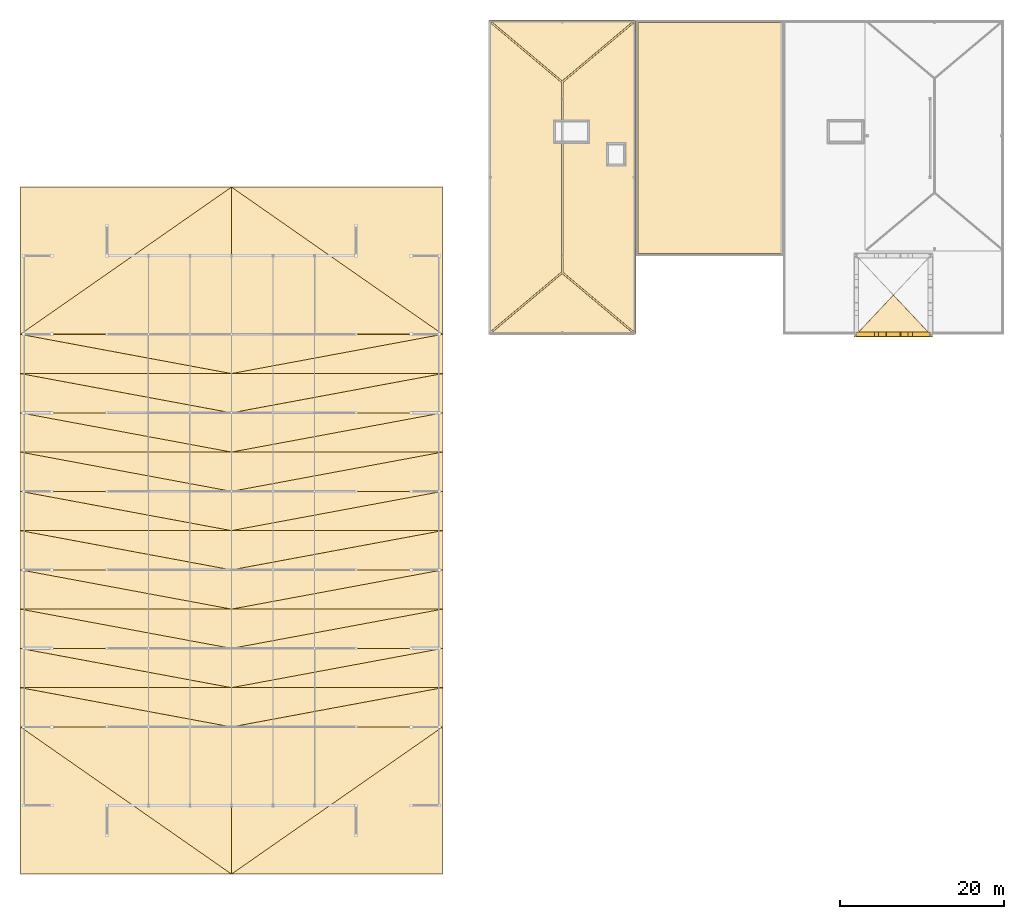
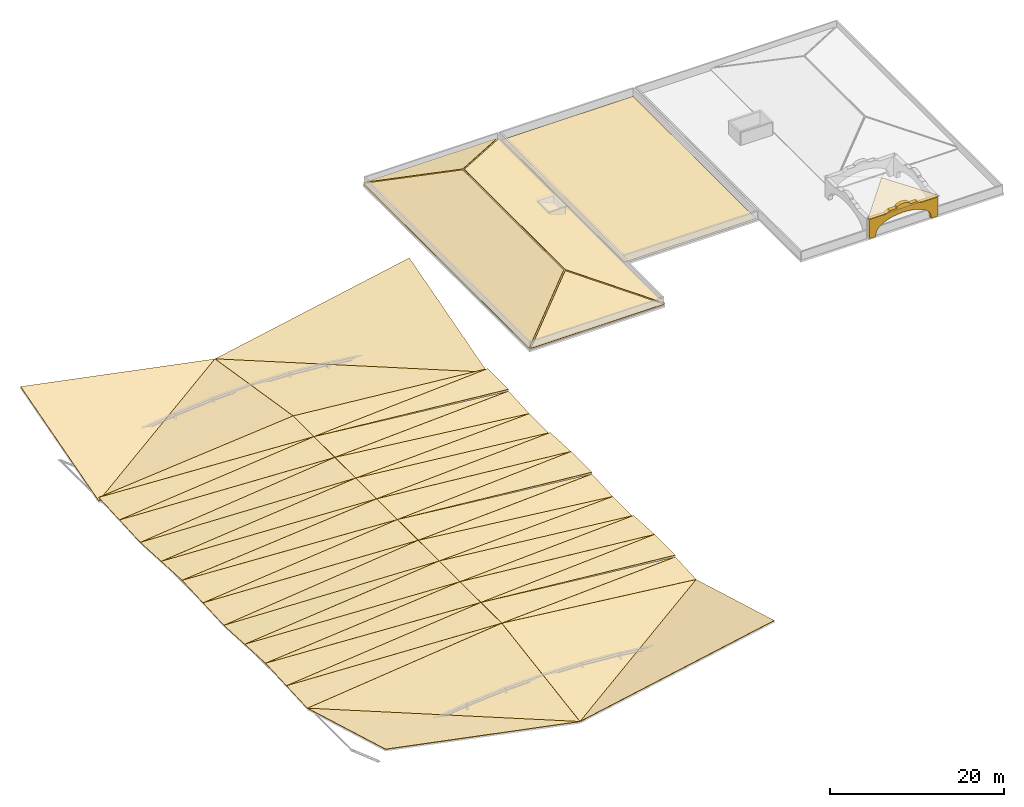
# One storey, part 15 of 16: 56 coverings.
"""IFC4 building model written with IfcOpenShell, lengths in metres."""

from ifc_helpers import new_model, si_unit, direction, frame, origin, place, context, subcontext, project, spatial, polyline, outline, extrude, material, layer, layer_set, type_object, element, save


model = new_model("IFC4")

# Units and contexts
model_context = context("Model", 3, precision=1e-05, world=origin(), true_north=direction((0.0, 1.0)))
body_context = subcontext(model_context, "Body", "Model", "MODEL_VIEW")
ifc_project = project(units=[si_unit("LENGTHUNIT", "METRE"), si_unit("AREAUNIT", "SQUARE_METRE"), si_unit("VOLUMEUNIT", "CUBIC_METRE"), si_unit("PLANEANGLEUNIT", "RADIAN"), si_unit("MASSUNIT", "GRAM", prefix="KILO")], contexts=[model_context])

# Site, building, storey
site_placement = place(None, origin())
site = spatial("IfcSite", under=ifc_project, at=site_placement, CompositionType="ELEMENT")
building_placement = place(site_placement, origin())
building = spatial("IfcBuilding", under=site, at=building_placement, Name="Myrtia Square Station", CompositionType="ELEMENT")
storey_placement = place(building_placement, frame((0.0, 0.0, 22.800048828125)))
storey = spatial("IfcBuildingStorey", under=building, at=storey_placement, Name="RF", CompositionType="ELEMENT", Elevation=22.800048828125)

# Coverings
ifc_material_1 = material(Name="Pentelic marble ashlar", Category="masonry")
ifc_layer_1 = layer(ifc_material_1, 0.4599609375, Name="Pentelic marble ashlar")
ifc_layer_set_1 = layer_set([ifc_layer_1], Name="Pentelic marble ashlar")
covering_type_1 = type_object("IfcCoveringType", Name="COV-ARCH-ASHLAR", PredefinedType="CLADDING", material=ifc_layer_set_1)
covering_1_placement = place(storey_placement, frame((171.0, 86.39990234375, 0.099853515625), z_axis=(0.0, 0.0, 1.0), x_axis=(1.0, 0.0, 0.0)))
element("IfcCovering", 1, at=covering_1_placement, inside=storey, type_object=covering_type_1, Name="Clock tower south belfry arch 048", PredefinedType="CLADDING", context=body_context, shape_type="SweptSolid", body=[
    extrude(outline(polyline([(0.0, 0.0), (0.85009765625, 0.0), (0.85009765625, 0.35009765625), (0.920166015625, 0.701171875), (1.1279296875, 1.038818359375), (1.465087890625, 1.35009765625), (1.9189453125, 1.622802734375), (2.47216796875, 1.8466796875), (3.103271484375, 2.01318359375), (3.787841796875, 2.115478515625), (4.5, 2.150146484375), (5.212158203125, 2.115478515625), (5.896728515625, 2.01318359375), (6.52783203125, 1.8466796875), (7.0810546875, 1.622802734375), (7.534912109375, 1.35009765625), (7.8720703125, 1.038818359375), (8.079833984375, 0.701171875), (8.14990234375, 0.35009765625), (8.14990234375, 0.0), (9.0, 0.0), (9.0, 2.68017578125), (6.840087890625, 2.68017578125), (6.300048828125, 2.9951171875), (5.39990234375, 2.9951171875), (5.33154296875, 3.16162109375), (5.136474609375, 3.302734375), (4.844482421875, 3.39697265625), (4.5, 3.43017578125), (4.155517578125, 3.39697265625), (3.863525390625, 3.302734375), (3.66845703125, 3.16162109375), (3.60009765625, 2.9951171875), (2.699951171875, 2.9951171875), (2.159912109375, 2.68017578125), (0.0, 2.68017578125), (0.0, 0.0)])), frame((0.0, 0.260009765625, 0.0), z_axis=(0.0, -1.0, 0.0), x_axis=(1.0, 0.0, 0.0)), (0.0, 0.0, 1.0), 0.52001953125),
])
ifc_material_2 = material(Name="Waterproof elastomeric membrane")
ifc_layer_2 = layer(ifc_material_2, 0.044921875, Name="Waterproof elastomeric membrane")
ifc_layer_set_2 = layer_set([ifc_layer_2], Name="Waterproof elastomeric membrane")
covering_type_2 = type_object("IfcCoveringType", Name="COV-MEMB-FLAT", PredefinedType="ROOFING", material=ifc_layer_set_2)
covering_2_placement = place(storey_placement, origin())
element("IfcCovering", 2, at=covering_2_placement, inside=storey, type_object=covering_type_2, Name="Flat roof waterproof membrane ROOF-RF-V5W", PredefinedType="ROOFING", context=body_context, shape_type="SweptSolid", body=[
    extrude(outline(polyline([(126.25, 86.64990234375), (143.75, 86.64990234375), (143.75, 124.550048828125), (126.25, 124.550048828125), (126.25, 86.64990234375)])), origin(), (0.0, 0.0, 1.0), 0.044921875),
])
covering_3_placement = place(storey_placement, origin())
element("IfcCovering", 3, at=covering_3_placement, inside=storey, type_object=covering_type_2, Name="Flat roof waterproof membrane ROOF-RF-V5C", PredefinedType="ROOFING", context=body_context, shape_type="SweptSolid", body=[
    extrude(outline(polyline([(144.25, 96.25), (161.75, 96.25), (161.75, 124.550048828125), (144.25, 124.550048828125), (144.25, 96.25)])), origin(), (0.0, 0.0, 1.0), 0.044921875),
])
ifc_material_3 = material(Name="Terracotta clay barrel tiles", Category="masonry")
ifc_layer_3 = layer(ifc_material_3, 0.06494140625, Name="Terracotta clay barrel tiles")
ifc_layer_set_3 = layer_set([ifc_layer_3], Name="Terracotta clay barrel tiles")
covering_type_3 = type_object("IfcCoveringType", Name="COV-TILE-TERRACOTTA", PredefinedType="ROOFING", material=ifc_layer_set_3)
covering_4_placement = place(storey_placement, frame((68.76220703125, 20.41748046875, 4.061279296875), z_axis=(0.188293795689, 0.270148782202, 0.944227240647), x_axis=(0.980690704726, 0.0, -0.195565185202)))
element("IfcCovering", 4, at=covering_4_placement, inside=storey, type_object=covering_type_3, Name="Terracotta clay barrel-tile roofing 015", PredefinedType="ROOFING", context=body_context, shape_type="SweptSolid", body=[
    extrude(outline(polyline([(0.0, 0.0), (26.333431169900546, 2.220446049250313e-16), (1.0071416056285196, 18.69511058903835), (0.0, 0.0)])), origin(), (0.0, 0.0, -1.0), 0.06494140625),
])
covering_5_placement = place(storey_placement, frame((94.56787109375, 20.3896484375, -1.086181640625), z_axis=(-0.110186193437, -0.158086281407, 0.981258238389), x_axis=(0.0, 0.987269760288, 0.159054771765)))
element("IfcCovering", 5, at=covering_5_placement, inside=storey, type_object=covering_type_3, Name="Terracotta clay barrel-tile roofing 016", PredefinedType="ROOFING", context=body_context, shape_type="SweptSolid", body=[
    extrude(outline(polyline([(0.0, 0.0), (18.232098990606836, 0.0), (17.77085568518055, 25.98316361119666), (0.0, 0.0)])), origin(), (0.0, 0.0, -1.0), 0.06494140625),
])
covering_6_placement = place(storey_placement, frame((120.3876953125, 20.41748046875, 4.061279296875), z_axis=(-0.188293795689, 0.270148782202, 0.944227240647), x_axis=(0.0, 0.961424484281, -0.275069011385)))
element("IfcCovering", 6, at=covering_6_placement, inside=storey, type_object=covering_type_3, Name="Terracotta clay barrel-tile roofing 017", PredefinedType="ROOFING", context=body_context, shape_type="SweptSolid", body=[
    extrude(outline(polyline([(0.0, 0.0), (18.722219263489084, 0.0), (1.4165785464270426, 26.295301907407197), (0.0, 0.0)])), origin(), (0.0, 0.0, -1.0), 0.06494140625),
])
covering_7_placement = place(storey_placement, frame((94.582275390625, 20.3896484375, -1.086181640625), z_axis=(0.110186193437, -0.158086281407, 0.981258238389), x_axis=(0.820386370125, 0.571809586937, 0.0)))
element("IfcCovering", 7, at=covering_7_placement, inside=storey, type_object=covering_type_3, Name="Terracotta clay barrel-tile roofing 018", PredefinedType="ROOFING", context=body_context, shape_type="SweptSolid", body=[
    extrude(outline(polyline([(0.0, 0.0), (31.479010515416903, 0.0), (10.292572564862558, 15.048999421899296), (0.0, 0.0)])), origin(), (0.0, 0.0, -1.0), 0.06494140625),
])
covering_8_placement = place(storey_placement, frame((68.742919921875, 38.396484375, -1.08544921875), z_axis=(-0.111440230898, -0.051688329051, 0.99242601315), x_axis=(0.993754399547, 0.0, 0.111589396362)))
element("IfcCovering", 8, at=covering_8_placement, inside=storey, type_object=covering_type_3, Name="Terracotta clay barrel-tile roofing 019", PredefinedType="ROOFING", context=body_context, shape_type="SweptSolid", body=[
    extrude(outline(polyline([(0.0, 0.0), (25.98725719719214, -2.7755575615628914e-17), (0.027897349090608602, 4.8064738104246345), (0.0, 0.0)])), origin(), (0.0, 0.0, -1.0), 0.06494140625),
])
covering_9_placement = place(storey_placement, frame((94.568359375, 38.39990234375, 1.814697265625), z_axis=(-0.102083510541, 0.0, 0.994775832475), x_axis=(0.0, 1.0, 0.0)))
element("IfcCovering", 9, at=covering_9_placement, inside=storey, type_object=covering_type_3, Name="Terracotta clay barrel-tile roofing 020", PredefinedType="ROOFING", context=body_context, shape_type="SweptSolid", body=[
    extrude(outline(polyline([(0.0, 0.0), (4.800048828125, 0.0), (4.800048828125, 25.960573557191935), (0.0, 0.0)])), origin(), (0.0, 0.0, -1.0), 0.06494140625),
])
covering_10_placement = place(storey_placement, frame((68.743408203125, 43.196533203125, -0.83544921875), z_axis=(-0.101937477737, -0.051741364406, 0.993444302335), x_axis=(0.994776787439, 0.0, 0.102074204245)))
element("IfcCovering", 10, at=covering_10_placement, inside=storey, type_object=covering_type_3, Name="Terracotta clay barrel-tile roofing 021", PredefinedType="ROOFING", context=body_context, shape_type="SweptSolid", body=[
    extrude(outline(polyline([(0.0, 0.0), (25.960548635595895, -2.7755575615628914e-17), (0.025518551061326358, 4.806487028582926), (0.0, 0.0)])), origin(), (0.0, 0.0, -1.0), 0.06494140625),
])
covering_11_placement = place(storey_placement, frame((94.569091796875, 43.199951171875, 1.814697265625), z_axis=(-0.092539378236, 0.0, 0.995709025507), x_axis=(0.0, 1.0, 0.0)))
element("IfcCovering", 11, at=covering_11_placement, inside=storey, type_object=covering_type_3, Name="Terracotta clay barrel-tile roofing 022", PredefinedType="ROOFING", context=body_context, shape_type="SweptSolid", body=[
    extrude(outline(polyline([(0.0, 0.0), (4.800048828125, 0.0), (4.800048828125, 25.93648812147145), (0.0, 0.0)])), origin(), (0.0, 0.0, -1.0), 0.06494140625),
])
covering_12_placement = place(storey_placement, frame((94.582275390625, 38.396484375, 1.814453125), z_axis=(0.111440230898, -0.051688329051, 0.99242601315), x_axis=(0.993754399547, 0.0, -0.111589396362)))
element("IfcCovering", 12, at=covering_12_placement, inside=storey, type_object=covering_type_3, Name="Terracotta clay barrel-tile roofing 023", PredefinedType="ROOFING", context=body_context, shape_type="SweptSolid", body=[
    extrude(outline(polyline([(0.0, 0.0), (25.98725719719214, 2.7755575615628914e-17), (25.95935984810153, 4.8064738104246345), (0.0, 0.0)])), origin(), (0.0, 0.0, -1.0), 0.06494140625),
])
covering_13_placement = place(storey_placement, frame((94.58154296875, 38.39990234375, 1.814697265625), z_axis=(0.102083510541, 0.0, 0.994775832475), x_axis=(0.978195497944, 0.181815877301, -0.100382043035)))
element("IfcCovering", 13, at=covering_13_placement, inside=storey, type_object=covering_type_3, Name="Terracotta clay barrel-tile roofing 024", PredefinedType="ROOFING", context=body_context, shape_type="SweptSolid", body=[
    extrude(outline(polyline([(0.0, 0.0), (26.40060317816162, -7.008282842946301e-16), (0.8727250887753615, 4.720044456549771), (0.0, 0.0)])), origin(), (0.0, 0.0, -1.0), 0.06494140625),
])
covering_14_placement = place(storey_placement, frame((94.5810546875, 43.199951171875, 1.814697265625), z_axis=(0.092540245581, 0.0, 0.995708944897), x_axis=(0.995708944897, 0.0, -0.092540245581)))
element("IfcCovering", 14, at=covering_14_placement, inside=storey, type_object=covering_type_3, Name="Terracotta clay barrel-tile roofing 025", PredefinedType="ROOFING", context=body_context, shape_type="SweptSolid", body=[
    extrude(outline(polyline([(0.0, 0.0), (25.936245028457485, 0.0), (25.936245028457485, 4.800048828125), (0.0, 0.0)])), origin(), (0.0, 0.0, -1.0), 0.06494140625),
])
covering_15_placement = place(storey_placement, frame((94.5810546875, 43.199951171875, 1.814697265625), z_axis=(0.092540245581, 0.0, 0.995708944897), x_axis=(0.979082684735, 0.181980777513, -0.09099501672)))
element("IfcCovering", 15, at=covering_15_placement, inside=storey, type_object=covering_type_3, Name="Terracotta clay barrel-tile roofing 026", PredefinedType="ROOFING", context=body_context, shape_type="SweptSolid", body=[
    extrude(outline(polyline([(0.0, 0.0), (26.376680513828305, 4.510281037539698e-16), (0.87351661784374, 4.719898036052794), (0.0, 0.0)])), origin(), (0.0, 0.0, -1.0), 0.06494140625),
])
covering_16_placement = place(storey_placement, frame((68.743896484375, 48.00341796875, -0.58544921875), z_axis=(-0.092405871372, 0.051789767937, 0.994373659583), x_axis=(0.995709892801, 0.0, 0.092530045814)))
element("IfcCovering", 16, at=covering_16_placement, inside=storey, type_object=covering_type_3, Name="Terracotta clay barrel-tile roofing 027", PredefinedType="ROOFING", context=body_context, shape_type="SweptSolid", body=[
    extrude(outline(polyline([(0.0, 0.0), (25.93646552998902, 0.0), (-0.023132511453566356, 4.80649910426477), (0.0, 0.0)])), origin(), (0.0, 0.0, -1.0), 0.06494140625),
])
covering_17_placement = place(storey_placement, frame((94.568359375, 48.0, 1.814697265625), z_axis=(-0.102083510541, 0.0, 0.994775832475), x_axis=(0.0, 1.0, 0.0)))
element("IfcCovering", 17, at=covering_17_placement, inside=storey, type_object=covering_type_3, Name="Terracotta clay barrel-tile roofing 028", PredefinedType="ROOFING", context=body_context, shape_type="SweptSolid", body=[
    extrude(outline(polyline([(0.0, 0.0), (4.800048828125, 0.0), (4.800048828125, 25.960573557191935), (0.0, 0.0)])), origin(), (0.0, 0.0, -1.0), 0.06494140625),
])
covering_18_placement = place(storey_placement, frame((68.743408203125, 52.803466796875, -0.83544921875), z_axis=(-0.101937477737, 0.051741364406, 0.993444302335), x_axis=(0.994776787439, 0.0, 0.102074204245)))
element("IfcCovering", 18, at=covering_18_placement, inside=storey, type_object=covering_type_3, Name="Terracotta clay barrel-tile roofing 029", PredefinedType="ROOFING", context=body_context, shape_type="SweptSolid", body=[
    extrude(outline(polyline([(0.0, 0.0), (25.960548635595895, 2.7755575615628914e-17), (-0.025518551061326358, 4.806487028582926), (0.0, 0.0)])), origin(), (0.0, 0.0, -1.0), 0.06494140625),
])
covering_19_placement = place(storey_placement, frame((94.567626953125, 52.800048828125, 1.814453125), z_axis=(-0.111589396362, 0.0, 0.993754399547), x_axis=(0.0, 1.0, 0.0)))
element("IfcCovering", 19, at=covering_19_placement, inside=storey, type_object=covering_type_3, Name="Terracotta clay barrel-tile roofing 030", PredefinedType="ROOFING", context=body_context, shape_type="SweptSolid", body=[
    extrude(outline(polyline([(0.0, 0.0), (4.800048828125, 0.0), (4.800048828125, 25.98725719719214), (0.0, 0.0)])), origin(), (0.0, 0.0, -1.0), 0.06494140625),
])
covering_20_placement = place(storey_placement, frame((94.5810546875, 48.00341796875, 1.814453125), z_axis=(0.092406737487, 0.051789763757, 0.994373579314), x_axis=(0.995709812207, 0.0, -0.092530913073)))
element("IfcCovering", 20, at=covering_20_placement, inside=storey, type_object=covering_type_3, Name="Terracotta clay barrel-tile roofing 031", PredefinedType="ROOFING", context=body_context, shape_type="SweptSolid", body=[
    extrude(outline(polyline([(0.0, 0.0), (25.936222436763316, -1.3877787807814457e-17), (25.95935516503168, 4.806499103221289), (0.0, 0.0)])), origin(), (0.0, 0.0, -1.0), 0.06494140625),
])
covering_21_placement = place(storey_placement, frame((94.58154296875, 48.0, 1.814697265625), z_axis=(0.102083510541, 0.0, 0.994775832475), x_axis=(0.978195497944, 0.181815877301, -0.100382043035)))
element("IfcCovering", 21, at=covering_21_placement, inside=storey, type_object=covering_type_3, Name="Terracotta clay barrel-tile roofing 032", PredefinedType="ROOFING", context=body_context, shape_type="SweptSolid", body=[
    extrude(outline(polyline([(0.0, 0.0), (26.40060317816162, -7.008282842946301e-16), (0.8727250887753615, 4.720044456549771), (0.0, 0.0)])), origin(), (0.0, 0.0, -1.0), 0.06494140625),
])
covering_22_placement = place(storey_placement, frame((94.582275390625, 52.800048828125, 1.814453125), z_axis=(0.111589396362, 0.0, 0.993754399547), x_axis=(0.993754399547, 0.0, -0.111589396362)))
element("IfcCovering", 22, at=covering_22_placement, inside=storey, type_object=covering_type_3, Name="Terracotta clay barrel-tile roofing 033", PredefinedType="ROOFING", context=body_context, shape_type="SweptSolid", body=[
    extrude(outline(polyline([(0.0, 0.0), (25.98725719719214, 0.0), (25.98725719719214, 4.800048828125), (0.0, 0.0)])), origin(), (0.0, 0.0, -1.0), 0.06494140625),
])
covering_23_placement = place(storey_placement, frame((94.582275390625, 52.800048828125, 1.814453125), z_axis=(0.111589396362, 0.0, 0.993754399547), x_axis=(0.977224242959, 0.181635351448, -0.109733213189)))
element("IfcCovering", 23, at=covering_23_placement, inside=storey, type_object=covering_type_3, Name="Terracotta clay barrel-tile roofing 034", PredefinedType="ROOFING", context=body_context, shape_type="SweptSolid", body=[
    extrude(outline(polyline([(0.0, 0.0), (26.42684251637715, -1.27675647831893e-15), (0.871858555864388, 4.720204594183418), (0.0, 0.0)])), origin(), (0.0, 0.0, -1.0), 0.06494140625),
])
covering_24_placement = place(storey_placement, frame((68.742919921875, 57.5966796875, -1.08544921875), z_axis=(-0.111440215754, -0.051690951137, 0.992425878282), x_axis=(0.993754399547, 0.0, 0.111589396362)))
element("IfcCovering", 24, at=covering_24_placement, inside=storey, type_object=covering_type_3, Name="Terracotta clay barrel-tile roofing 035", PredefinedType="ROOFING", context=body_context, shape_type="SweptSolid", body=[
    extrude(outline(polyline([(0.0, 0.0), (25.98725719719214, 0.0), (0.027897349090608602, 4.806229996167546), (0.0, 0.0)])), origin(), (0.0, 0.0, -1.0), 0.06494140625),
])
covering_25_placement = place(storey_placement, frame((94.568359375, 57.60009765625, 1.814697265625), z_axis=(-0.102083510541, 0.0, 0.994775832475), x_axis=(0.0, 1.0, 0.0)))
element("IfcCovering", 25, at=covering_25_placement, inside=storey, type_object=covering_type_3, Name="Terracotta clay barrel-tile roofing 036", PredefinedType="ROOFING", context=body_context, shape_type="SweptSolid", body=[
    extrude(outline(polyline([(0.0, 0.0), (4.7998046875, 0.0), (4.7998046875, 25.960573557191935), (0.0, 0.0)])), origin(), (0.0, 0.0, -1.0), 0.06494140625),
])
covering_26_placement = place(storey_placement, frame((68.743408203125, 62.396484375, -0.83544921875), z_axis=(-0.101937477737, -0.051741364406, 0.993444302335), x_axis=(0.994776787439, 0.0, 0.102074204245)))
element("IfcCovering", 26, at=covering_26_placement, inside=storey, type_object=covering_type_3, Name="Terracotta clay barrel-tile roofing 037", PredefinedType="ROOFING", context=body_context, shape_type="SweptSolid", body=[
    extrude(outline(polyline([(0.0, 0.0), (25.960548635595895, -2.7755575615628914e-17), (0.025518551061326358, 4.806487028582926), (0.0, 0.0)])), origin(), (0.0, 0.0, -1.0), 0.06494140625),
])
covering_27_placement = place(storey_placement, frame((94.569091796875, 62.39990234375, 1.814697265625), z_axis=(-0.092539378236, 0.0, 0.995709025507), x_axis=(0.0, 1.0, 0.0)))
element("IfcCovering", 27, at=covering_27_placement, inside=storey, type_object=covering_type_3, Name="Terracotta clay barrel-tile roofing 038", PredefinedType="ROOFING", context=body_context, shape_type="SweptSolid", body=[
    extrude(outline(polyline([(0.0, 0.0), (4.800048828125, 0.0), (4.800048828125, 25.93648812147145), (0.0, 0.0)])), origin(), (0.0, 0.0, -1.0), 0.06494140625),
])
covering_28_placement = place(storey_placement, frame((94.582275390625, 57.5966796875, 1.814453125), z_axis=(0.111440215754, -0.051690951137, 0.992425878282), x_axis=(0.993754399547, 0.0, -0.111589396362)))
element("IfcCovering", 28, at=covering_28_placement, inside=storey, type_object=covering_type_3, Name="Terracotta clay barrel-tile roofing 039", PredefinedType="ROOFING", context=body_context, shape_type="SweptSolid", body=[
    extrude(outline(polyline([(0.0, 0.0), (25.98725719719214, 0.0), (25.95935984810153, 4.806229996167545), (0.0, 0.0)])), origin(), (0.0, 0.0, -1.0), 0.06494140625),
])
covering_29_placement = place(storey_placement, frame((94.58154296875, 57.60009765625, 1.814697265625), z_axis=(0.102083510541, 0.0, 0.994775832475), x_axis=(0.978197142595, 0.181806935435, -0.100382211808)))
element("IfcCovering", 29, at=covering_29_placement, inside=storey, type_object=covering_type_3, Name="Terracotta clay barrel-tile roofing 040", PredefinedType="ROOFING", context=body_context, shape_type="SweptSolid", body=[
    extrude(outline(polyline([(0.0, 0.0), (26.400558790611235, 1.6653345369377348e-16), (0.8726377809222723, 4.719812320575261), (0.0, 0.0)])), origin(), (0.0, 0.0, -1.0), 0.06494140625),
])
covering_30_placement = place(storey_placement, frame((94.5810546875, 62.39990234375, 1.814697265625), z_axis=(0.092540245581, 0.0, 0.995708944897), x_axis=(0.995708944897, 0.0, -0.092540245581)))
element("IfcCovering", 30, at=covering_30_placement, inside=storey, type_object=covering_type_3, Name="Terracotta clay barrel-tile roofing 041", PredefinedType="ROOFING", context=body_context, shape_type="SweptSolid", body=[
    extrude(outline(polyline([(0.0, 0.0), (25.936245028457485, 0.0), (25.936245028457485, 4.800048828125), (0.0, 0.0)])), origin(), (0.0, 0.0, -1.0), 0.06494140625),
])
covering_31_placement = place(storey_placement, frame((94.5810546875, 62.39990234375, 1.814697265625), z_axis=(0.092540245581, 0.0, 0.995708944897), x_axis=(0.979082684735, 0.181980777513, -0.09099501672)))
element("IfcCovering", 31, at=covering_31_placement, inside=storey, type_object=covering_type_3, Name="Terracotta clay barrel-tile roofing 042", PredefinedType="ROOFING", context=body_context, shape_type="SweptSolid", body=[
    extrude(outline(polyline([(0.0, 0.0), (26.376680513828305, 4.510281037539698e-16), (0.87351661784374, 4.719898036052794), (0.0, 0.0)])), origin(), (0.0, 0.0, -1.0), 0.06494140625),
])
covering_32_placement = place(storey_placement, frame((68.743896484375, 67.203369140625, -0.58544921875), z_axis=(-0.092405871372, 0.051789767937, 0.994373659583), x_axis=(0.995709892801, 0.0, 0.092530045814)))
element("IfcCovering", 32, at=covering_32_placement, inside=storey, type_object=covering_type_3, Name="Terracotta clay barrel-tile roofing 043", PredefinedType="ROOFING", context=body_context, shape_type="SweptSolid", body=[
    extrude(outline(polyline([(0.0, 0.0), (25.93646552998902, 0.0), (-0.023132511453566356, 4.80649910426477), (0.0, 0.0)])), origin(), (0.0, 0.0, -1.0), 0.06494140625),
])
covering_33_placement = place(storey_placement, frame((94.568359375, 67.199951171875, 1.814697265625), z_axis=(-0.102083510541, 0.0, 0.994775832475), x_axis=(0.0, 1.0, 0.0)))
element("IfcCovering", 33, at=covering_33_placement, inside=storey, type_object=covering_type_3, Name="Terracotta clay barrel-tile roofing 044", PredefinedType="ROOFING", context=body_context, shape_type="SweptSolid", body=[
    extrude(outline(polyline([(0.0, 0.0), (4.800048828125, 0.0), (4.800048828125, 25.960573557191935), (0.0, 0.0)])), origin(), (0.0, 0.0, -1.0), 0.06494140625),
])
covering_34_placement = place(storey_placement, frame((68.743408203125, 72.00341796875, -0.83544921875), z_axis=(-0.101937477737, 0.051741364406, 0.993444302335), x_axis=(0.994776787439, 0.0, 0.102074204245)))
element("IfcCovering", 34, at=covering_34_placement, inside=storey, type_object=covering_type_3, Name="Terracotta clay barrel-tile roofing 045", PredefinedType="ROOFING", context=body_context, shape_type="SweptSolid", body=[
    extrude(outline(polyline([(0.0, 0.0), (25.960548635595895, 2.7755575615628914e-17), (-0.025518551061326358, 4.806487028582926), (0.0, 0.0)])), origin(), (0.0, 0.0, -1.0), 0.06494140625),
])
covering_35_placement = place(storey_placement, frame((94.567626953125, 72.0, 1.814453125), z_axis=(-0.111589396362, 0.0, 0.993754399547), x_axis=(0.0, 1.0, 0.0)))
element("IfcCovering", 35, at=covering_35_placement, inside=storey, type_object=covering_type_3, Name="Terracotta clay barrel-tile roofing 046", PredefinedType="ROOFING", context=body_context, shape_type="SweptSolid", body=[
    extrude(outline(polyline([(0.0, 0.0), (4.800048828125, 0.0), (4.800048828125, 25.98725719719214), (0.0, 0.0)])), origin(), (0.0, 0.0, -1.0), 0.06494140625),
])
covering_36_placement = place(storey_placement, frame((94.5810546875, 67.203369140625, 1.814453125), z_axis=(0.092406737487, 0.051789763757, 0.994373579314), x_axis=(0.995709812207, 0.0, -0.092530913073)))
element("IfcCovering", 36, at=covering_36_placement, inside=storey, type_object=covering_type_3, Name="Terracotta clay barrel-tile roofing 047", PredefinedType="ROOFING", context=body_context, shape_type="SweptSolid", body=[
    extrude(outline(polyline([(0.0, 0.0), (25.936222436763316, -1.3877787807814457e-17), (25.95935516503168, 4.806499103221289), (0.0, 0.0)])), origin(), (0.0, 0.0, -1.0), 0.06494140625),
])
covering_37_placement = place(storey_placement, frame((94.58154296875, 67.199951171875, 1.814697265625), z_axis=(0.102083510541, 0.0, 0.994775832475), x_axis=(0.978195497944, 0.181815877301, -0.100382043035)))
element("IfcCovering", 37, at=covering_37_placement, inside=storey, type_object=covering_type_3, Name="Terracotta clay barrel-tile roofing 048", PredefinedType="ROOFING", context=body_context, shape_type="SweptSolid", body=[
    extrude(outline(polyline([(0.0, 0.0), (26.40060317816162, -7.008282842946301e-16), (0.8727250887753615, 4.720044456549771), (0.0, 0.0)])), origin(), (0.0, 0.0, -1.0), 0.06494140625),
])
covering_38_placement = place(storey_placement, frame((94.582275390625, 72.0, 1.814453125), z_axis=(0.111589396362, 0.0, 0.993754399547), x_axis=(0.993754399547, 0.0, -0.111589396362)))
element("IfcCovering", 38, at=covering_38_placement, inside=storey, type_object=covering_type_3, Name="Terracotta clay barrel-tile roofing 049", PredefinedType="ROOFING", context=body_context, shape_type="SweptSolid", body=[
    extrude(outline(polyline([(0.0, 0.0), (25.98725719719214, 0.0), (25.98725719719214, 4.800048828125), (0.0, 0.0)])), origin(), (0.0, 0.0, -1.0), 0.06494140625),
])
covering_39_placement = place(storey_placement, frame((94.582275390625, 72.0, 1.814453125), z_axis=(0.111589396362, 0.0, 0.993754399547), x_axis=(0.977224242959, 0.181635351448, -0.109733213189)))
element("IfcCovering", 39, at=covering_39_placement, inside=storey, type_object=covering_type_3, Name="Terracotta clay barrel-tile roofing 050", PredefinedType="ROOFING", context=body_context, shape_type="SweptSolid", body=[
    extrude(outline(polyline([(0.0, 0.0), (26.42684251637715, -1.27675647831893e-15), (0.871858555864388, 4.720204594183418), (0.0, 0.0)])), origin(), (0.0, 0.0, -1.0), 0.06494140625),
])
covering_40_placement = place(storey_placement, frame((68.742919921875, 76.796630859375, -1.08544921875), z_axis=(-0.111440230898, -0.051688329051, 0.99242601315), x_axis=(0.993754399547, 0.0, 0.111589396362)))
element("IfcCovering", 40, at=covering_40_placement, inside=storey, type_object=covering_type_3, Name="Terracotta clay barrel-tile roofing 051", PredefinedType="ROOFING", context=body_context, shape_type="SweptSolid", body=[
    extrude(outline(polyline([(0.0, 0.0), (25.98725719719214, -2.7755575615628914e-17), (0.027897349090608602, 4.8064738104246345), (0.0, 0.0)])), origin(), (0.0, 0.0, -1.0), 0.06494140625),
])
covering_41_placement = place(storey_placement, frame((94.568359375, 76.800048828125, 1.814697265625), z_axis=(-0.102083510541, 0.0, 0.994775832475), x_axis=(0.0, 1.0, 0.0)))
element("IfcCovering", 41, at=covering_41_placement, inside=storey, type_object=covering_type_3, Name="Terracotta clay barrel-tile roofing 052", PredefinedType="ROOFING", context=body_context, shape_type="SweptSolid", body=[
    extrude(outline(polyline([(0.0, 0.0), (4.800048828125, 0.0), (4.800048828125, 25.960573557191935), (0.0, 0.0)])), origin(), (0.0, 0.0, -1.0), 0.06494140625),
])
covering_42_placement = place(storey_placement, frame((68.743408203125, 81.5966796875, -0.83544921875), z_axis=(-0.101937463856, -0.051743989169, 0.993444167051), x_axis=(0.994776787439, 0.0, 0.102074204245)))
element("IfcCovering", 42, at=covering_42_placement, inside=storey, type_object=covering_type_3, Name="Terracotta clay barrel-tile roofing 053", PredefinedType="ROOFING", context=body_context, shape_type="SweptSolid", body=[
    extrude(outline(polyline([(0.0, 0.0), (25.960548635595895, -2.7755575615628914e-17), (0.025518551061326358, 4.8062432149963765), (0.0, 0.0)])), origin(), (0.0, 0.0, -1.0), 0.06494140625),
])
covering_43_placement = place(storey_placement, frame((94.569091796875, 81.60009765625, 1.814697265625), z_axis=(-0.092539378236, 0.0, 0.995709025507), x_axis=(0.0, 1.0, 0.0)))
element("IfcCovering", 43, at=covering_43_placement, inside=storey, type_object=covering_type_3, Name="Terracotta clay barrel-tile roofing 054", PredefinedType="ROOFING", context=body_context, shape_type="SweptSolid", body=[
    extrude(outline(polyline([(0.0, 0.0), (4.7998046875, 0.0), (4.7998046875, 25.936488121471452), (0.0, 0.0)])), origin(), (0.0, 0.0, -1.0), 0.06494140625),
])
covering_44_placement = place(storey_placement, frame((94.582275390625, 76.796630859375, 1.814453125), z_axis=(0.111440230898, -0.051688329051, 0.99242601315), x_axis=(0.993754399547, 0.0, -0.111589396362)))
element("IfcCovering", 44, at=covering_44_placement, inside=storey, type_object=covering_type_3, Name="Terracotta clay barrel-tile roofing 055", PredefinedType="ROOFING", context=body_context, shape_type="SweptSolid", body=[
    extrude(outline(polyline([(0.0, 0.0), (25.98725719719214, 2.7755575615628914e-17), (25.95935984810153, 4.8064738104246345), (0.0, 0.0)])), origin(), (0.0, 0.0, -1.0), 0.06494140625),
])
covering_45_placement = place(storey_placement, frame((94.58154296875, 76.800048828125, 1.814697265625), z_axis=(0.102083510541, 0.0, 0.994775832475), x_axis=(0.978195497944, 0.181815877301, -0.100382043035)))
element("IfcCovering", 45, at=covering_45_placement, inside=storey, type_object=covering_type_3, Name="Terracotta clay barrel-tile roofing 056", PredefinedType="ROOFING", context=body_context, shape_type="SweptSolid", body=[
    extrude(outline(polyline([(0.0, 0.0), (26.40060317816162, -7.008282842946301e-16), (0.8727250887753615, 4.720044456549771), (0.0, 0.0)])), origin(), (0.0, 0.0, -1.0), 0.06494140625),
])
covering_46_placement = place(storey_placement, frame((94.5810546875, 81.60009765625, 1.814697265625), z_axis=(0.092540245581, 0.0, 0.995708944897), x_axis=(0.995708944897, 0.0, -0.092540245581)))
element("IfcCovering", 46, at=covering_46_placement, inside=storey, type_object=covering_type_3, Name="Terracotta clay barrel-tile roofing 057", PredefinedType="ROOFING", context=body_context, shape_type="SweptSolid", body=[
    extrude(outline(polyline([(0.0, 0.0), (25.936245028457485, 0.0), (25.936245028457485, 4.7998046875), (0.0, 0.0)])), origin(), (0.0, 0.0, -1.0), 0.06494140625),
])
covering_47_placement = place(storey_placement, frame((94.5810546875, 81.60009765625, 1.814697265625), z_axis=(0.092540245581, 0.0, 0.995708944897), x_axis=(0.979084333865, 0.181971828092, -0.090995169989)))
element("IfcCovering", 47, at=covering_47_placement, inside=storey, type_object=covering_type_3, Name="Terracotta clay barrel-tile roofing 058", PredefinedType="ROOFING", context=body_context, shape_type="SweptSolid", body=[
    extrude(outline(polyline([(0.0, 0.0), (26.376636086020007, -1.0408340855860843e-15), (0.873429233470659, 4.7196659216798205), (0.0, 0.0)])), origin(), (0.0, 0.0, -1.0), 0.06494140625),
])
covering_48_placement = place(storey_placement, frame((68.76220703125, 104.38232421875, 4.061279296875), z_axis=(0.188293795689, -0.270148782202, 0.944227240647), x_axis=(0.0, -0.961424484281, -0.275069011385)))
element("IfcCovering", 48, at=covering_48_placement, inside=storey, type_object=covering_type_3, Name="Terracotta clay barrel-tile roofing 059", PredefinedType="ROOFING", context=body_context, shape_type="SweptSolid", body=[
    extrude(outline(polyline([(0.0, 0.0), (18.722219263489084, 0.0), (1.4165785464270426, 26.295301907407197), (0.0, 0.0)])), origin(), (0.0, 0.0, -1.0), 0.06494140625),
])
covering_49_placement = place(storey_placement, frame((68.742919921875, 86.410400390625, -1.086181640625), z_axis=(-0.110186193437, 0.158086281407, 0.981258238389), x_axis=(0.993754399547, 0.0, 0.111589396362)))
element("IfcCovering", 49, at=covering_49_placement, inside=storey, type_object=covering_type_3, Name="Terracotta clay barrel-tile roofing 060", PredefinedType="ROOFING", context=body_context, shape_type="SweptSolid", body=[
    extrude(outline(polyline([(0.0, 0.0), (25.98725719719214, 0.0), (25.66365884514307, 18.22922701898898), (0.0, 0.0)])), origin(), (0.0, 0.0, -1.0), 0.06494140625),
])
covering_50_placement = place(storey_placement, frame((120.3876953125, 104.38232421875, 4.061279296875), z_axis=(-0.188293795689, -0.270148782202, 0.944227240647), x_axis=(-0.980690704726, 0.0, -0.195565185202)))
element("IfcCovering", 50, at=covering_50_placement, inside=storey, type_object=covering_type_3, Name="Terracotta clay barrel-tile roofing 061", PredefinedType="ROOFING", context=body_context, shape_type="SweptSolid", body=[
    extrude(outline(polyline([(0.0, 0.0), (26.333431169900546, 2.220446049250313e-16), (1.0071416056285196, 18.69511058903835), (0.0, 0.0)])), origin(), (0.0, 0.0, -1.0), 0.06494140625),
])
covering_51_placement = place(storey_placement, frame((94.582275390625, 86.410400390625, 1.813720703125), z_axis=(0.110186193437, 0.158086281407, 0.981258238389), x_axis=(0.993754399547, 0.0, -0.111589396362)))
element("IfcCovering", 51, at=covering_51_placement, inside=storey, type_object=covering_type_3, Name="Terracotta clay barrel-tile roofing 062", PredefinedType="ROOFING", context=body_context, shape_type="SweptSolid", body=[
    extrude(outline(polyline([(0.0, 0.0), (25.98725719719214, 0.0), (0.3235983520490713, 18.22922701898898), (0.0, 0.0)])), origin(), (0.0, 0.0, -1.0), 0.06494140625),
])
for number, where, z_axis, x_axis, name in (
    (52, (125.977294921875, 124.68896484375, 0.2529296875), (-0.34955959391, 0.0, 0.936914131768), (0.0, -1.0, 0.0), "Terracotta clay barrel-tile roofing 107"),
    (53, (144.022705078125, 86.510986328125, 0.2529296875), (0.34955959391, 0.0, 0.936914131768), (0.0, 1.0, 0.0), "Terracotta clay barrel-tile roofing 108"),
):
    element("IfcCovering", number, at=place(storey_placement, frame(where, z_axis=z_axis, x_axis=x_axis)), inside=storey, type_object=covering_type_3, Name=name, PredefinedType="ROOFING", context=body_context, shape_type="SweptSolid", body=[
        extrude(outline(polyline([(0.0, 0.0), (38.177978515625, 0.0), (30.689453125, 9.515321372814578), (7.488525390625, 9.515321372814578), (0.0, 0.0)])), origin(), (0.0, 0.0, -1.0), 0.06494140625),
    ])
for number, where, z_axis, x_axis, name in (
    (54, (126.132080078125, 86.37353515625, 0.25146484375), (0.0, -0.405927238059, 0.913905398497), (1.0, 0.0, 0.0), "Terracotta clay barrel-tile roofing 109"),
    (55, (143.867919921875, 124.826416015625, 0.25146484375), (0.0, 0.405927238059, 0.913905398497), (-1.0, 0.0, 0.0), "Terracotta clay barrel-tile roofing 110"),
):
    element("IfcCovering", number, at=place(storey_placement, frame(where, z_axis=z_axis, x_axis=x_axis)), inside=storey, type_object=covering_type_3, Name=name, PredefinedType="ROOFING", context=body_context, shape_type="SweptSolid", body=[
        extrude(outline(polyline([(0.0, 0.0), (17.73583984375, 0.0), (8.867919921875, 8.150706431570978), (0.0, 0.0)])), origin(), (0.0, 0.0, -1.0), 0.06494140625),
    ])
covering_52_placement = place(storey_placement, frame((170.699951171875, 86.0859375, 2.913330078125), z_axis=(0.0, -0.216351415073, 0.976315556158), x_axis=(1.0, 0.0, 0.0)))
element("IfcCovering", 56, at=covering_52_placement, inside=storey, type_object=covering_type_3, Name="Terracotta clay barrel-tile roofing 115", PredefinedType="ROOFING", context=body_context, shape_type="SweptSolid", body=[
    extrude(outline(polyline([(0.0, 0.0), (9.60009765625, 0.0), (4.800048828125, 5.223570886951977), (0.0, 0.0)])), origin(), (0.0, 0.0, -1.0), 0.06494140625),
])

save(model, "model.ifc")
